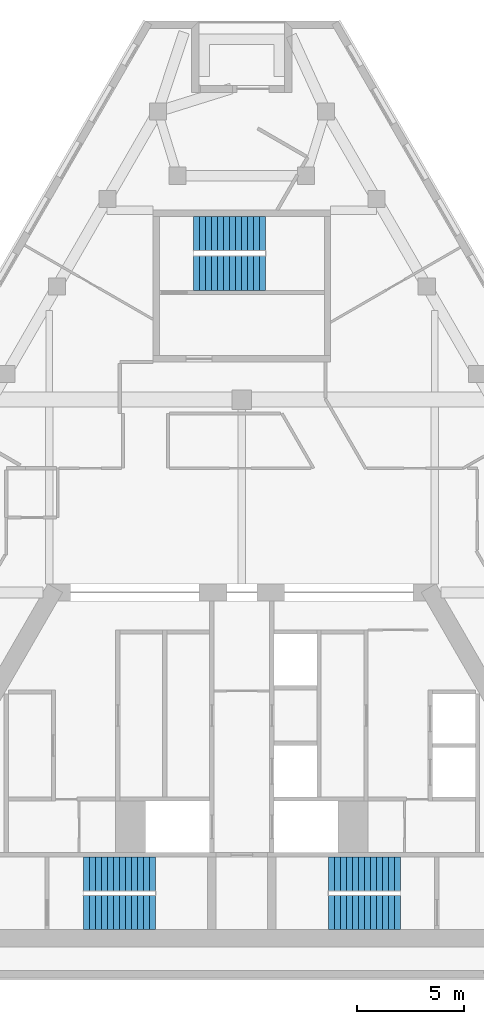
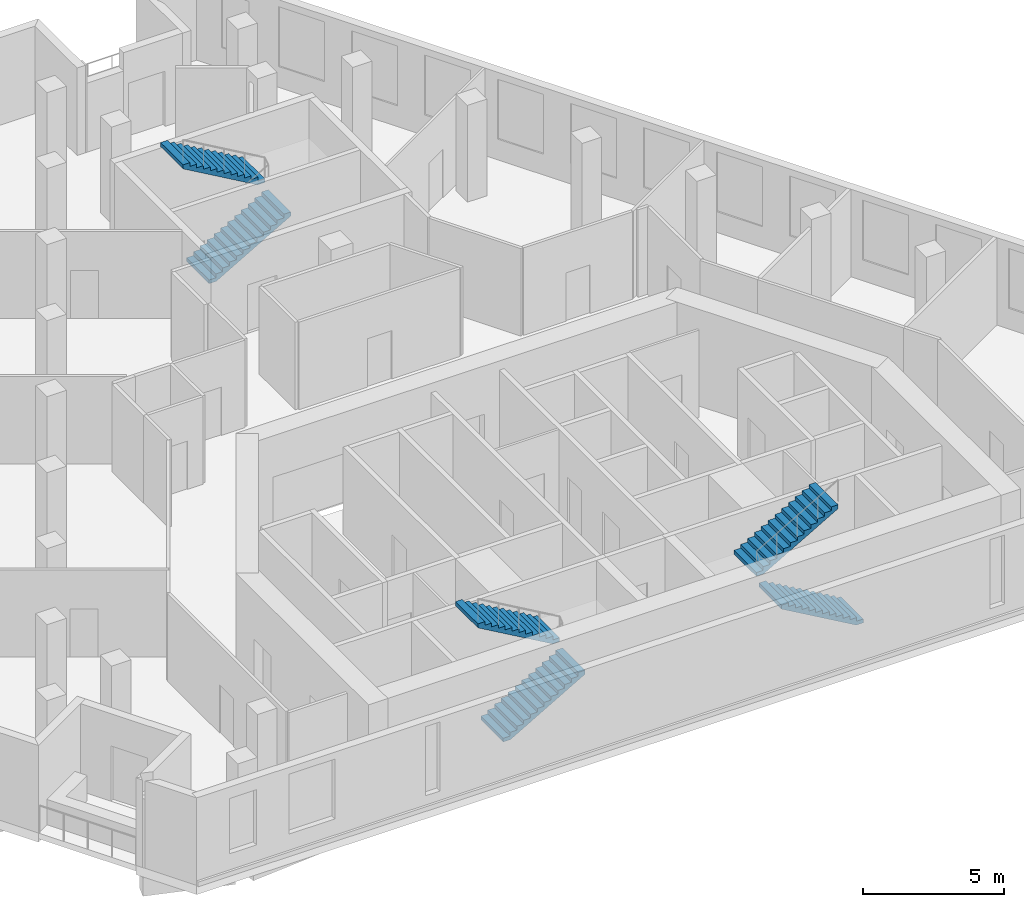
# One storey, part 7 of 8: 6 stair flights, 3 elements without a shape of their own.
"""IFC4 building model written with IfcOpenShell, lengths in metres."""

from ifc_helpers import new_model, si_unit, direction, frame, origin, place, context, subcontext, project, spatial, polyline, outline, extrude, material, type_object, element, aggregate, save


model = new_model("IFC4")

# Units and contexts
model_context = context("Model", 3, precision=1e-05, world=origin(), true_north=direction((0.0, 1.0)))
body_context = subcontext(model_context, "Body", "Model", "MODEL_VIEW")
ifc_project = project(units=[si_unit("LENGTHUNIT", "METRE"), si_unit("AREAUNIT", "SQUARE_METRE"), si_unit("VOLUMEUNIT", "CUBIC_METRE"), si_unit("PLANEANGLEUNIT", "RADIAN"), si_unit("MASSUNIT", "GRAM", prefix="KILO")], contexts=[model_context])

# Site, building, storey
site_placement = place(None, origin())
site = spatial("IfcSite", under=ifc_project, at=site_placement, CompositionType="ELEMENT")
building_placement = place(site_placement, origin())
building = spatial("IfcBuilding", under=site, at=building_placement, Name="Fogline Exchange Tower", CompositionType="ELEMENT")
storey_placement = place(building_placement, frame((0.0, 0.0, 266.699951171875)))
storey = spatial("IfcBuildingStorey", under=building, at=storey_placement, Name="L60", CompositionType="ELEMENT", Elevation=266.699951171875)

# Stair, stair flights
ifc_material = material(Name="Concrete C40", Category="concrete")
stair_type = type_object("IfcStairType", Name="STR26-1615", PredefinedType="HALF_TURN_STAIR", material=ifc_material)
stair_1_placement = place(storey_placement, origin())
stair_1 = element("IfcStair", 1, at=stair_1_placement, inside=storey, type_object=stair_type, Name="Stair ST1", PredefinedType="HALF_TURN_STAIR")
stair_flight_type = type_object("IfcStairFlightType", Name="SF13-1615", PredefinedType="STRAIGHT", material=ifc_material)
stair_flight_1_placement = place(storey_placement, frame((-7.39990234375, 3.050048828125, 0.0), z_axis=(0.0, 0.0, 1.0), x_axis=(1.0, 0.0, 0.0)))
stair_flight_1 = element("IfcStairFlight", 2, at=stair_flight_1_placement, type_object=stair_flight_type, Name="ST1 flight 1", NumberOfRisers=13, NumberOfTreads=12, PredefinedType="STRAIGHT", RiserHeight=0.161538462, TreadLength=0.28, context=body_context, shape_type="SweptSolid", body=[
    extrude(outline(polyline([(0.0, 0.0), (0.0, 0.16162109375), (0.280029296875, 0.16162109375), (0.280029296875, 0.322998046875), (0.56005859375, 0.322998046875), (0.56005859375, 0.484619140625), (0.840087890625, 0.484619140625), (0.840087890625, 0.646240234375), (1.1201171875, 0.646240234375), (1.1201171875, 0.8076171875), (1.39990234375, 0.8076171875), (1.39990234375, 0.96923828125), (1.679931640625, 0.96923828125), (1.679931640625, 1.130859375), (1.9599609375, 1.130859375), (1.9599609375, 1.292236328125), (2.239990234375, 1.292236328125), (2.239990234375, 1.453857421875), (2.52001953125, 1.453857421875), (2.52001953125, 1.615478515625), (2.800048828125, 1.615478515625), (2.800048828125, 1.77685546875), (3.080078125, 1.77685546875), (3.080078125, 1.9384765625), (3.360107421875, 1.9384765625), (3.360107421875, 2.10009765625), (3.360107421875, 1.765380859375), (0.300048828125, 0.0), (0.0, 0.0)])), frame((0.0, 0.800048828125, 0.0), z_axis=(0.0, -1.0, 0.0), x_axis=(1.0, 0.0, 0.0)), (0.0, 0.0, 1.0), 1.60009765625),
])
stair_flight_2_placement = place(storey_placement, frame((-4.0400390625, 4.85009765625, 2.10009765625), z_axis=(0.0, 0.0, 1.0), x_axis=(-1.0, 0.0, 0.0)))
stair_flight_2 = element("IfcStairFlight", 3, at=stair_flight_2_placement, type_object=stair_flight_type, Name="ST1 flight 2", NumberOfRisers=13, NumberOfTreads=12, PredefinedType="STRAIGHT", RiserHeight=0.161538462, TreadLength=0.28, context=body_context, shape_type="SweptSolid", body=[
    extrude(outline(polyline([(0.0, 0.0), (0.0, 0.16162109375), (0.280029296875, 0.16162109375), (0.280029296875, 0.322998046875), (0.56005859375, 0.322998046875), (0.56005859375, 0.484619140625), (0.840087890625, 0.484619140625), (0.840087890625, 0.646240234375), (1.1201171875, 0.646240234375), (1.1201171875, 0.8076171875), (1.39990234375, 0.8076171875), (1.39990234375, 0.96923828125), (1.679931640625, 0.96923828125), (1.679931640625, 1.130859375), (1.9599609375, 1.130859375), (1.9599609375, 1.292236328125), (2.239990234375, 1.292236328125), (2.239990234375, 1.453857421875), (2.52001953125, 1.453857421875), (2.52001953125, 1.615478515625), (2.800048828125, 1.615478515625), (2.800048828125, 1.77685546875), (3.080078125, 1.77685546875), (3.080078125, 1.9384765625), (3.360107421875, 1.9384765625), (3.360107421875, 2.10009765625), (3.360107421875, 1.765380859375), (0.300048828125, 0.0), (0.0, 0.0)])), frame((0.0, 0.800048828125, 0.0), z_axis=(0.0, -1.0, 0.0), x_axis=(1.0, 0.0, 0.0)), (0.0, 0.0, 1.0), 1.60009765625),
])
aggregate(stair_1, [stair_flight_1, stair_flight_2])

stair_2_placement = place(storey_placement, origin())
stair_2 = element("IfcStair", 4, at=stair_2_placement, inside=storey, type_object=stair_type, Name="Stair ST2", PredefinedType="HALF_TURN_STAIR")
stair_flight_3_placement = place(storey_placement, frame((7.39990234375, 3.050048828125, 0.0), z_axis=(0.0, 0.0, 1.0), x_axis=(-1.0, 0.0, 0.0)))
stair_flight_3 = element("IfcStairFlight", 5, at=stair_flight_3_placement, type_object=stair_flight_type, Name="ST2 flight 1", NumberOfRisers=13, NumberOfTreads=12, PredefinedType="STRAIGHT", RiserHeight=0.161538462, TreadLength=0.28, context=body_context, shape_type="SweptSolid", body=[
    extrude(outline(polyline([(0.0, 0.0), (0.0, 0.16162109375), (0.280029296875, 0.16162109375), (0.280029296875, 0.322998046875), (0.56005859375, 0.322998046875), (0.56005859375, 0.484619140625), (0.840087890625, 0.484619140625), (0.840087890625, 0.646240234375), (1.1201171875, 0.646240234375), (1.1201171875, 0.8076171875), (1.39990234375, 0.8076171875), (1.39990234375, 0.96923828125), (1.679931640625, 0.96923828125), (1.679931640625, 1.130859375), (1.9599609375, 1.130859375), (1.9599609375, 1.292236328125), (2.239990234375, 1.292236328125), (2.239990234375, 1.453857421875), (2.52001953125, 1.453857421875), (2.52001953125, 1.615478515625), (2.800048828125, 1.615478515625), (2.800048828125, 1.77685546875), (3.080078125, 1.77685546875), (3.080078125, 1.9384765625), (3.360107421875, 1.9384765625), (3.360107421875, 2.10009765625), (3.360107421875, 1.765380859375), (0.300048828125, 0.0), (0.0, 0.0)])), frame((0.0, 0.800048828125, 0.0), z_axis=(0.0, -1.0, 0.0), x_axis=(1.0, 0.0, 0.0)), (0.0, 0.0, 1.0), 1.60009765625),
])
stair_flight_4_placement = place(storey_placement, frame((4.0400390625, 4.85009765625, 2.10009765625), z_axis=(0.0, 0.0, 1.0), x_axis=(1.0, 0.0, 0.0)))
stair_flight_4 = element("IfcStairFlight", 6, at=stair_flight_4_placement, type_object=stair_flight_type, Name="ST2 flight 2", NumberOfRisers=13, NumberOfTreads=12, PredefinedType="STRAIGHT", RiserHeight=0.161538462, TreadLength=0.28, context=body_context, shape_type="SweptSolid", body=[
    extrude(outline(polyline([(0.0, 0.0), (0.0, 0.16162109375), (0.280029296875, 0.16162109375), (0.280029296875, 0.322998046875), (0.56005859375, 0.322998046875), (0.56005859375, 0.484619140625), (0.840087890625, 0.484619140625), (0.840087890625, 0.646240234375), (1.1201171875, 0.646240234375), (1.1201171875, 0.8076171875), (1.39990234375, 0.8076171875), (1.39990234375, 0.96923828125), (1.679931640625, 0.96923828125), (1.679931640625, 1.130859375), (1.9599609375, 1.130859375), (1.9599609375, 1.292236328125), (2.239990234375, 1.292236328125), (2.239990234375, 1.453857421875), (2.52001953125, 1.453857421875), (2.52001953125, 1.615478515625), (2.800048828125, 1.615478515625), (2.800048828125, 1.77685546875), (3.080078125, 1.77685546875), (3.080078125, 1.9384765625), (3.360107421875, 1.9384765625), (3.360107421875, 2.10009765625), (3.360107421875, 1.765380859375), (0.300048828125, 0.0), (0.0, 0.0)])), frame((0.0, 0.800048828125, 0.0), z_axis=(0.0, -1.0, 0.0), x_axis=(1.0, 0.0, 0.0)), (0.0, 0.0, 1.0), 1.60009765625),
])
aggregate(stair_2, [stair_flight_3, stair_flight_4])

stair_3_placement = place(storey_placement, origin())
stair_3 = element("IfcStair", 7, at=stair_3_placement, inside=storey, type_object=stair_type, Name="Stair ST3", PredefinedType="HALF_TURN_STAIR")
stair_flight_5_placement = place(storey_placement, frame((-2.25, 32.906982421875, 0.0), z_axis=(0.0, 0.0, 1.0), x_axis=(1.0, 0.0, 0.0)))
stair_flight_5 = element("IfcStairFlight", 8, at=stair_flight_5_placement, type_object=stair_flight_type, Name="ST3 flight 1", NumberOfRisers=13, NumberOfTreads=12, PredefinedType="STRAIGHT", RiserHeight=0.161538462, TreadLength=0.28, context=body_context, shape_type="SweptSolid", body=[
    extrude(outline(polyline([(0.0, 0.0), (0.0, 0.16162109375), (0.280029296875, 0.16162109375), (0.280029296875, 0.322998046875), (0.56005859375, 0.322998046875), (0.56005859375, 0.484619140625), (0.840087890625, 0.484619140625), (0.840087890625, 0.646240234375), (1.1201171875, 0.646240234375), (1.1201171875, 0.8076171875), (1.39990234375, 0.8076171875), (1.39990234375, 0.96923828125), (1.679931640625, 0.96923828125), (1.679931640625, 1.130859375), (1.9599609375, 1.130859375), (1.9599609375, 1.292236328125), (2.239990234375, 1.292236328125), (2.239990234375, 1.453857421875), (2.52001953125, 1.453857421875), (2.52001953125, 1.615478515625), (2.800048828125, 1.615478515625), (2.800048828125, 1.77685546875), (3.080078125, 1.77685546875), (3.080078125, 1.9384765625), (3.360107421875, 1.9384765625), (3.360107421875, 2.10009765625), (3.360107421875, 1.765380859375), (0.300048828125, 0.0), (0.0, 0.0)])), frame((0.0, 0.800048828125, 0.0), z_axis=(0.0, -1.0, 0.0), x_axis=(1.0, 0.0, 0.0)), (0.0, 0.0, 1.0), 1.60009765625),
])
stair_flight_6_placement = place(storey_placement, frame((1.110107421875, 34.757080078125, 2.10009765625), z_axis=(0.0, 0.0, 1.0), x_axis=(-1.0, 0.0, 0.0)))
stair_flight_6 = element("IfcStairFlight", 9, at=stair_flight_6_placement, type_object=stair_flight_type, Name="ST3 flight 2", NumberOfRisers=13, NumberOfTreads=12, PredefinedType="STRAIGHT", RiserHeight=0.161538462, TreadLength=0.28, context=body_context, shape_type="SweptSolid", body=[
    extrude(outline(polyline([(0.0, 0.0), (0.0, 0.16162109375), (0.280029296875, 0.16162109375), (0.280029296875, 0.322998046875), (0.56005859375, 0.322998046875), (0.56005859375, 0.484619140625), (0.840087890625, 0.484619140625), (0.840087890625, 0.646240234375), (1.1201171875, 0.646240234375), (1.1201171875, 0.8076171875), (1.39990234375, 0.8076171875), (1.39990234375, 0.96923828125), (1.679931640625, 0.96923828125), (1.679931640625, 1.130859375), (1.9599609375, 1.130859375), (1.9599609375, 1.292236328125), (2.239990234375, 1.292236328125), (2.239990234375, 1.453857421875), (2.52001953125, 1.453857421875), (2.52001953125, 1.615478515625), (2.800048828125, 1.615478515625), (2.800048828125, 1.77685546875), (3.080078125, 1.77685546875), (3.080078125, 1.9384765625), (3.360107421875, 1.9384765625), (3.360107421875, 2.10009765625), (3.360107421875, 1.765380859375), (0.300048828125, 0.0), (0.0, 0.0)])), frame((0.0, 0.800048828125, 0.0), z_axis=(0.0, -1.0, 0.0), x_axis=(1.0, 0.0, 0.0)), (0.0, 0.0, 1.0), 1.60009765625),
])
aggregate(stair_3, [stair_flight_5, stair_flight_6])

save(model, "model.ifc")
